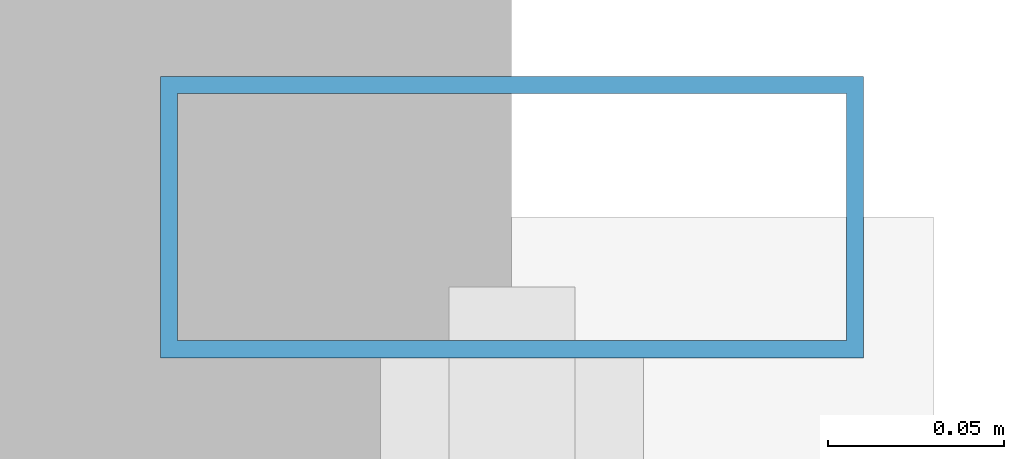
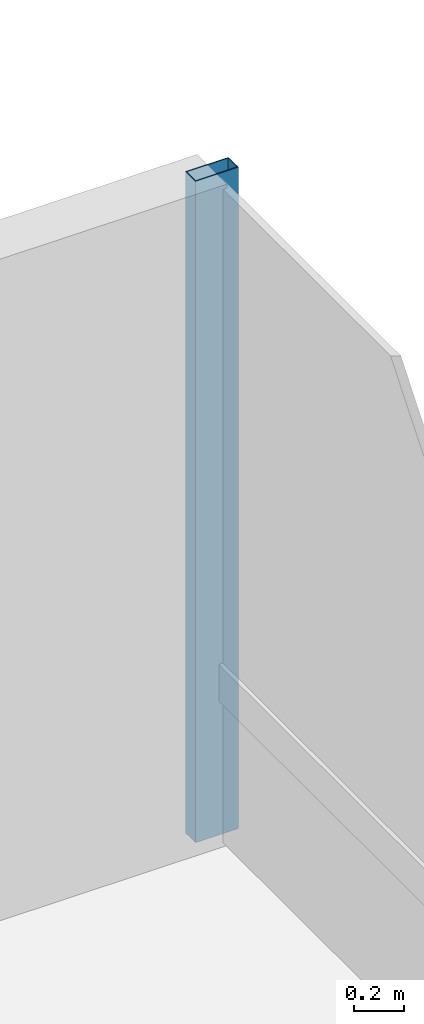
# One storey, part 26 of 34: 1 member, 1 element without a shape of its own.
"""IFC4 building model written with IfcOpenShell, lengths in metres."""

import ifcopenshell
import ifcopenshell.guid

model = None  # the IFC model being written
_history = None  # IfcOwnerHistory: only IFC2X3 demands one
_inside = {}  # id of a spatial element -> (the spatial element, [elements in it])
_under = {}  # id of a project, library or spatial element -> (it, [spatial elements below it])
_declared = {}  # id of a project -> (the project, [libraries it declares])
_typed = {}  # id of a type object -> (the type object, [elements of that type])
_made_of = {}  # id of a material, layer set ... -> (it, [elements and type objects made of it])


def new_model(schema):
    """Start an empty IFC model of exactly this schema.

    Asked for "IFC4X3", IfcOpenShell would pick the latest addendum, in which some entities
    have other attributes; the version numbers below select the first issue.
    IFC2X3 requires an IfcOwnerHistory on every rooted entity: one is made here for all.
    """
    global model, _history
    if schema == "IFC4X3":
        model = ifcopenshell.file(schema_version=(4, 3, 0, 0))
    else:
        model = ifcopenshell.file(schema=schema)
    _inside.clear()
    _under.clear()
    _declared.clear()
    _typed.clear()
    _made_of.clear()
    _history = None
    if model.schema == "IFC2X3":
        org = make("IfcOrganization", Name="unknown")
        user = make(
            "IfcPersonAndOrganization",
            ThePerson=make("IfcPerson", FamilyName="unknown"),
            TheOrganization=org,
        )
        app = make(
            "IfcApplication",
            ApplicationDeveloper=org,
            Version="unknown",
            ApplicationFullName="unknown",
            ApplicationIdentifier="unknown",
        )
        _history = make(
            "IfcOwnerHistory",
            OwningUser=user,
            OwningApplication=app,
            ChangeAction="ADDED",
            CreationDate=0,
        )
    return model


def make(cls, **values):
    """One entity of the class cls with the attributes given. An attribute that is None is left unset."""
    return model.create_entity(
        cls, **{name: value for name, value in values.items() if value is not None}
    )


def rooted(cls, **values):
    """An entity with a GlobalId (a new one), such as an element, a storey or a relation."""
    return make(cls, GlobalId=ifcopenshell.guid.new(), OwnerHistory=_history, **values)


def si_unit(unit_type, name, prefix=None):
    """IfcSIUnit, for example si_unit("LENGTHUNIT", "METRE", prefix="MILLI")."""
    return make("IfcSIUnit", UnitType=unit_type, Prefix=prefix, Name=name)


def assignment(units):
    """IfcUnitAssignment: the units of a project."""
    return None if units is None else make("IfcUnitAssignment", Units=units)


def point(xyz):
    """IfcCartesianPoint."""
    return None if xyz is None else make("IfcCartesianPoint", Coordinates=xyz)


def direction(xyz):
    """IfcDirection."""
    return None if xyz is None else make("IfcDirection", DirectionRatios=xyz)


def frame(location, z_axis=None, x_axis=None):
    """IfcAxis2Placement3D, a coordinate frame: its origin and axes. An axis left out is left unset."""
    return make(
        "IfcAxis2Placement3D",
        Location=point(location),
        Axis=direction(z_axis),
        RefDirection=direction(x_axis),
    )


def frame_2d(location, x_axis=None):
    """IfcAxis2Placement2D, a coordinate frame in the plane: its origin and x axis."""
    return make(
        "IfcAxis2Placement2D", Location=point(location), RefDirection=direction(x_axis)
    )


def origin():
    """The frame at (0, 0, 0) with its axes left unset."""
    return frame((0.0, 0.0, 0.0))


def origin_2d():
    """The frame at (0, 0) in the plane with its x axis left unset."""
    return frame_2d((0.0, 0.0))


def place(relative_to, where):
    """IfcLocalPlacement: puts the frame where relative to a parent placement (None: the world)."""
    return make(
        "IfcLocalPlacement", PlacementRelTo=relative_to, RelativePlacement=where
    )


def context(
    kind, dimensions, precision=None, world=None, true_north=None, identifier=None
):
    """IfcGeometricRepresentationContext, for example the 3D "Model" context."""
    return make(
        "IfcGeometricRepresentationContext",
        ContextIdentifier=identifier,
        ContextType=kind,
        CoordinateSpaceDimension=dimensions,
        Precision=precision,
        WorldCoordinateSystem=world,
        TrueNorth=true_north,
    )


def subcontext(parent, identifier, kind, view, scale=None):
    """IfcGeometricRepresentationSubContext, for example "Body" below "Model"."""
    return make(
        "IfcGeometricRepresentationSubContext",
        ContextIdentifier=identifier,
        ContextType=kind,
        ParentContext=parent,
        TargetScale=scale,
        TargetView=view,
    )


def project(units=None, contexts=None):
    """IfcProject with its units and contexts."""
    return rooted(
        "IfcProject",
        Name="project",
        RepresentationContexts=contexts,
        UnitsInContext=assignment(units),
    )


def spatial(cls, under=None, at=None, **own):
    """A site, building, storey or space (cls), placed at a placement, below another one or the project."""
    s = rooted(cls, ObjectPlacement=at, **own)
    if under is not None:
        _under.setdefault(under.id(), (under, []))[1].append(s)
    return s


def profile(cls, at=None, kind="AREA", **sizes):
    """A parametric profile (cls). Its sizes go by their IFC names, for example OverallWidth=200.0."""
    return make(cls, ProfileType=kind, Position=at, **sizes)


def hollow_rectangle(**sizes):
    """IfcRectangleHollowProfileDef."""
    return profile("IfcRectangleHollowProfileDef", **sizes)


def extrude(swept, where, along, depth):
    """IfcExtrudedAreaSolid: the profile swept, set in the frame where, extruded along a direction by depth."""
    return make(
        "IfcExtrudedAreaSolid",
        SweptArea=swept,
        Position=where,
        ExtrudedDirection=direction(along),
        Depth=depth,
    )


def shape(context_of_items, identifier, shape_type, items):
    """IfcShapeRepresentation: the items that make up one representation, for example the "Body"."""
    return make(
        "IfcShapeRepresentation",
        ContextOfItems=context_of_items,
        RepresentationIdentifier=identifier,
        RepresentationType=shape_type,
        Items=items,
    )


def material(Name=None, Category=None):
    """IfcMaterial."""
    return make("IfcMaterial", Name=Name, Category=Category)


def layer(
    of_material, thickness, ventilated=None, Name=None, Category=None, Priority=None
):
    """IfcMaterialLayer: one layer of a wall or slab, of a material (None: an air gap)."""
    return make(
        "IfcMaterialLayer",
        Material=of_material,
        LayerThickness=thickness,
        IsVentilated=ventilated,
        Name=Name,
        Category=Category,
        Priority=Priority,
    )


def layer_set(layers, Name=None):
    """IfcMaterialLayerSet."""
    return make("IfcMaterialLayerSet", MaterialLayers=layers, LayerSetName=Name)


def material_profile(
    of_material, cross_section, Name=None, Category=None, Priority=None
):
    """IfcMaterialProfile: a cross section and its material."""
    return make(
        "IfcMaterialProfile",
        Name=Name,
        Material=of_material,
        Profile=cross_section,
        Priority=Priority,
        Category=Category,
    )


def profile_set(profiles, Name=None, composite=None):
    """IfcMaterialProfileSet."""
    return make(
        "IfcMaterialProfileSet",
        Name=Name,
        MaterialProfiles=profiles,
        CompositeProfile=composite,
    )


def made_of(thing, what):
    """Note that an element or type object is made of a material, layer set ...; save() writes the relation."""
    if what is not None:
        _made_of.setdefault(what.id(), (what, []))[1].append(thing)
    return thing


def type_object(cls, material=None, **own):
    """A type object (cls), such as IfcWallType, which elements share."""
    return made_of(rooted(cls, **own), material)


def element(
    cls,
    number,
    at=None,
    inside=None,
    cuts=None,
    type_object=None,
    material=None,
    context=None,
    identifier="Body",
    shape_type=None,
    held_by="IfcProductDefinitionShape",
    body=None,
    shapes=None,
    **own,
):
    """One element of the class cls, such as IfcWall. Its Tag is "e" and its number.

    at: its placement. inside: the storey or other place that contains it. cuts: it is an
    opening in that element (IfcRelVoidsElement). A single representation is given by context,
    identifier, shape_type and body (its items); several are given by shapes. held_by: the class
    of the entity that holds the representations. save() writes the other relations.
    """
    e = rooted(cls, Tag="e%d" % number, ObjectPlacement=at, **own)
    if body is not None:
        shapes = [shape(context, identifier, shape_type, body)]
    if shapes is not None:
        e.Representation = make(held_by, Representations=shapes)
    if inside is not None:
        _inside.setdefault(inside.id(), (inside, []))[1].append(e)
    if cuts is not None:
        rooted(
            "IfcRelVoidsElement", RelatingBuildingElement=cuts, RelatedOpeningElement=e
        )
    if type_object is not None:
        _typed.setdefault(type_object.id(), (type_object, []))[1].append(e)
    return made_of(e, material)


def aggregate(whole, parts):
    """IfcRelAggregates: a whole, such as a stair, and the parts it consists of."""
    return rooted("IfcRelAggregates", RelatingObject=whole, RelatedObjects=parts)


def save(model, path):
    """Write the relations noted so far, then the file.

    IfcRelAggregates (storeys below a building ...), IfcRelContainedInSpatialStructure (elements
    in a storey), IfcRelDefinesByType, IfcRelAssociatesMaterial and IfcRelDeclares: one each for
    every whole, place, type object, material and project.
    """
    for whole, parts in _under.values():
        aggregate(whole, parts)
    for where, things in _inside.values():
        rooted(
            "IfcRelContainedInSpatialStructure",
            RelatedElements=things,
            RelatingStructure=where,
        )
    for kind, things in _typed.values():
        rooted("IfcRelDefinesByType", RelatedObjects=things, RelatingType=kind)
    for what, things in _made_of.values():
        rooted("IfcRelAssociatesMaterial", RelatedObjects=things, RelatingMaterial=what)
    for by, libraries in _declared.values():
        rooted("IfcRelDeclares", RelatingContext=by, RelatedDefinitions=libraries)
    model.write(path)


model = new_model("IFC4")

# Units and contexts
model_context = context("Model", 3, precision=1e-05, world=origin(), true_north=direction((0.0, 1.0)))
body_context = subcontext(model_context, "Body", "Model", "MODEL_VIEW")
ifc_project = project(units=[si_unit("LENGTHUNIT", "METRE"), si_unit("AREAUNIT", "SQUARE_METRE"), si_unit("VOLUMEUNIT", "CUBIC_METRE"), si_unit("PLANEANGLEUNIT", "RADIAN"), si_unit("MASSUNIT", "GRAM", prefix="KILO")], contexts=[model_context])

# Site, building, storey
site_placement = place(None, origin())
site = spatial("IfcSite", under=ifc_project, at=site_placement, CompositionType="ELEMENT")
building_placement = place(site_placement, origin())
building = spatial("IfcBuilding", under=site, at=building_placement, Name="Drelvath Grand Hotel", CompositionType="ELEMENT")
storey_placement = place(building_placement, frame((0.0, 0.0, 116.300048828125)))
storey = spatial("IfcBuildingStorey", under=building, at=storey_placement, Name="L29", CompositionType="ELEMENT", Elevation=116.300048828125)

# Curtain wall, member
ifc_material = material(Name="Champagne Bronze Anodised Aluminium Frame", Category="aluminium")
ifc_layer = layer(ifc_material, 0.199951171875)
ifc_layer_set = layer_set([ifc_layer], Name="Champagne Bronze Anodised Aluminium Frame")
curtain_wall_type = type_object("IfcCurtainWallType", Name="Stick Curtain Wall CW-03 Champagne Bronze Mid-Rise", PredefinedType="NOTDEFINED", material=ifc_layer_set)
curtain_wall_placement = place(storey_placement, origin())
curtain_wall = element("IfcCurtainWall", 1, at=curtain_wall_placement, inside=storey, type_object=curtain_wall_type, Name="L29 CW-03 Curtain Wall CW03-L29-EN3", PredefinedType="NOTDEFINED")
ifc_material_profile = material_profile(ifc_material, hollow_rectangle(XDim=0.080078125, YDim=0.199951171875, WallThickness=0.0048828125, at=origin_2d()), Name="HSS200X80X5")
ifc_profile_set = profile_set([ifc_material_profile], Name="Champagne Bronze Anodised Aluminium Frame")
member_type = type_object("IfcMemberType", Name="Curtain Wall Vertical Mullion CW-03 HSS200X80X5", PredefinedType="MULLION", material=ifc_profile_set)
member_placement = place(storey_placement, frame((22.080078125, 49.5, 0.0), z_axis=(0.0, 0.0, 1.0), x_axis=(0.0, 1.0, 0.0)))
member = element("IfcMember", 2, at=member_placement, type_object=member_type, Name="CW03-L29-EN3 Mullion 1", PredefinedType="MULLION", context=body_context, shape_type="SweptSolid", body=[
    extrude(hollow_rectangle(XDim=0.080078125, YDim=0.199951171875, WallThickness=0.0048828125, at=origin_2d()), origin(), (0.0, 0.0, 1.0), 3.239990234375),
])
aggregate(curtain_wall, [member])

save(model, "model.ifc")
